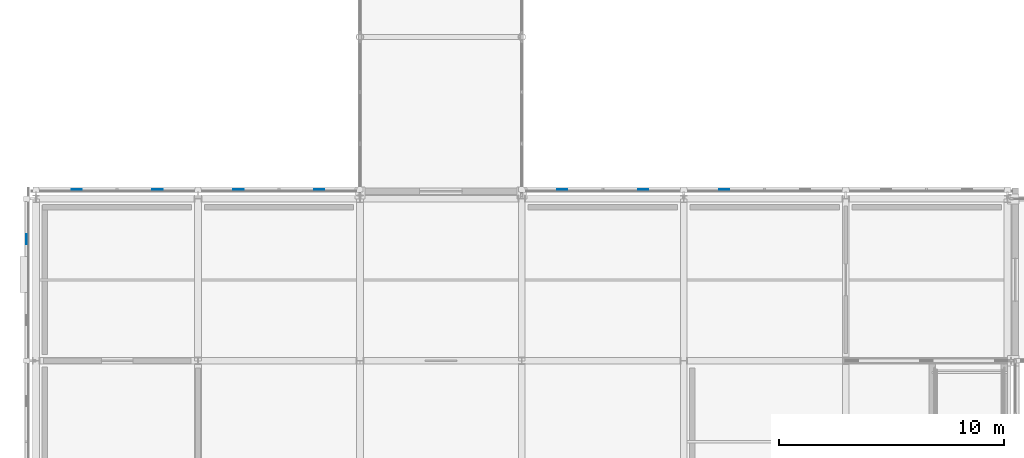
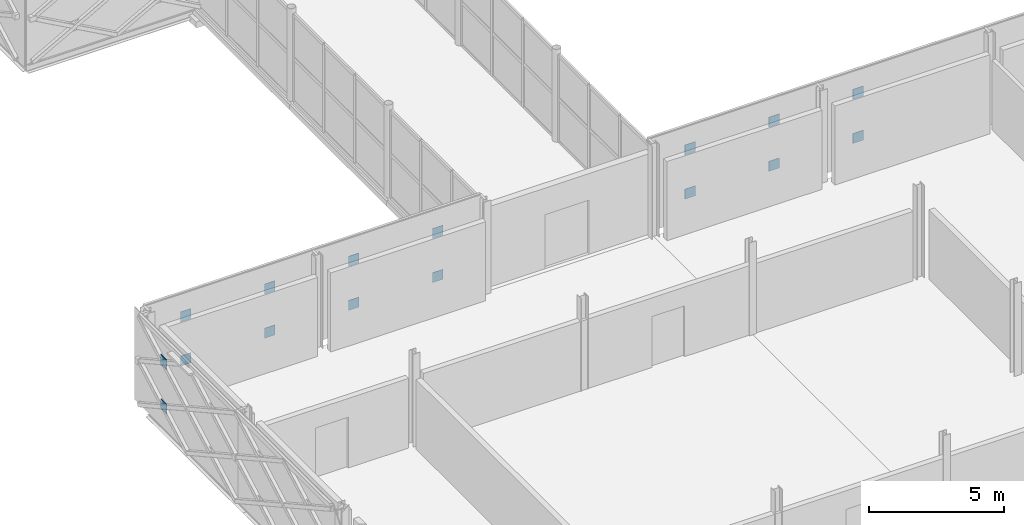
# One storey, part 99 of 146: 16 plates.
"""IFC4 building model written with IfcOpenShell, lengths in metres."""

from ifc_helpers import new_model, si_unit, direction, frame, origin, origin_2d, place, context, subcontext, project, spatial, rectangle, extrude, material, layer, layer_set, type_object, element, save


model = new_model("IFC4")

# Units and contexts
model_context = context("Model", 3, precision=1e-05, world=origin(), true_north=direction((0.0, 1.0)))
body_context = subcontext(model_context, "Body", "Model", "MODEL_VIEW")
ifc_project = project(units=[si_unit("LENGTHUNIT", "METRE"), si_unit("AREAUNIT", "SQUARE_METRE"), si_unit("VOLUMEUNIT", "CUBIC_METRE"), si_unit("PLANEANGLEUNIT", "RADIAN"), si_unit("MASSUNIT", "GRAM", prefix="KILO")], contexts=[model_context])

# Site, building, storey
site_placement = place(None, origin())
site = spatial("IfcSite", under=ifc_project, at=site_placement, CompositionType="ELEMENT")
building_placement = place(site_placement, origin())
building = spatial("IfcBuilding", under=site, at=building_placement, Name="Zlatovets Crest Museum", CompositionType="ELEMENT")
storey_placement = place(building_placement, frame((0.0, 0.0, 4.5)))
storey = spatial("IfcBuildingStorey", under=building, at=storey_placement, Name="L01", CompositionType="ELEMENT", Elevation=4.5)

# Plates
ifc_material = material(Name="Structural steel S355J2", Category="steel")
ifc_layer = layer(ifc_material, 0.02001953125)
ifc_layer_set = layer_set([ifc_layer], Name="Structural steel S355J2")
plate_type = type_object("IfcPlateType", Name="Gusset_GP-04", PredefinedType="USERDEFINED", material=ifc_layer_set)
for number, where, z_axis, x_axis, name in (
    (1, (30.60009765625, 29.219970703125, 0.875), (0.0, 0.0, 1.0), (1.0, 0.0, 0.0), "X-Brace Crossing Node Gusset Plate GP-04"),
    (2, (30.60009765625, 29.219970703125, 2.875), (0.0, 0.0, 1.0), (1.0, 0.0, 0.0), "X-Brace Crossing Node Gusset Plate GP-04"),
    (3, (27.0, 29.219970703125, 0.875), (0.0, 0.0, 1.0), (1.0, 0.0, 0.0), "X-Brace Crossing Node Gusset Plate GP-04"),
    (4, (23.39990234375, 29.219970703125, 0.875), (0.0, 0.0, 1.0), (1.0, 0.0, 0.0), "X-Brace Crossing Node Gusset Plate GP-04"),
    (5, (27.0, 29.219970703125, 2.875), (0.0, 0.0, 1.0), (1.0, 0.0, 0.0), "X-Brace Crossing Node Gusset Plate GP-04"),
    (6, (23.39990234375, 29.219970703125, 2.875), (0.0, 0.0, 1.0), (1.0, 0.0, 0.0), "X-Brace Crossing Node Gusset Plate GP-04"),
    (7, (12.60009765625, 29.219970703125, 0.875), (0.0, 0.0, 1.0), (1.0, 0.0, 0.0), "X-Brace Crossing Node Gusset Plate GP-04"),
    (8, (9.0, 29.219970703125, 0.875), (0.0, 0.0, 1.0), (1.0, 0.0, 0.0), "X-Brace Crossing Node Gusset Plate GP-04"),
    (9, (12.60009765625, 29.219970703125, 2.875), (0.0, 0.0, 1.0), (1.0, 0.0, 0.0), "X-Brace Crossing Node Gusset Plate GP-04"),
    (10, (9.0, 29.219970703125, 2.875), (0.0, 0.0, 1.0), (1.0, 0.0, 0.0), "X-Brace Crossing Node Gusset Plate GP-04"),
    (11, (5.39990234375, 29.219970703125, 0.875), (0.0, 0.0, 1.0), (1.0, 0.0, 0.0), "X-Brace Crossing Node Gusset Plate GP-04"),
    (12, (1.800048828125, 29.219970703125, 0.875), (0.0, 0.0, 1.0), (1.0, 0.0, 0.0), "X-Brace Crossing Node Gusset Plate GP-04"),
    (13, (5.39990234375, 29.219970703125, 2.875), (0.0, 0.0, 1.0), (1.0, 0.0, 0.0), "X-Brace Crossing Node Gusset Plate GP-04"),
    (14, (1.800048828125, 29.219970703125, 2.875), (0.0, 0.0, 1.0), (1.0, 0.0, 0.0), "X-Brace Crossing Node Gusset Plate GP-04"),
):
    element("IfcPlate", number, at=place(storey_placement, frame(where, z_axis=z_axis, x_axis=x_axis)), inside=storey, type_object=plate_type, Name=name, ObjectType="GUSSET", PredefinedType="USERDEFINED", context=body_context, shape_type="SweptSolid", body=[
        extrude(rectangle(XDim=0.449951171875, YDim=0.02001953125, at=origin_2d()), origin(), (0.0, 0.0, 1.0), 0.449951171875),
    ])
for number, where, z_axis, x_axis, name in (
    (15, (-0.419921875, 27.0, 0.875), (0.0, 0.0, 1.0), (1.0, 0.0, 0.0), "X-Brace Crossing Node Gusset Plate GP-04"),
    (16, (-0.419921875, 27.0, 2.875), (0.0, 0.0, 1.0), (1.0, 0.0, 0.0), "X-Brace Crossing Node Gusset Plate GP-04"),
):
    element("IfcPlate", number, at=place(storey_placement, frame(where, z_axis=z_axis, x_axis=x_axis)), inside=storey, type_object=plate_type, Name=name, ObjectType="GUSSET", PredefinedType="USERDEFINED", context=body_context, shape_type="SweptSolid", body=[
        extrude(rectangle(XDim=0.02001953125, YDim=0.449951171875, at=origin_2d()), origin(), (0.0, 0.0, 1.0), 0.449951171875),
    ])

save(model, "model.ifc")
